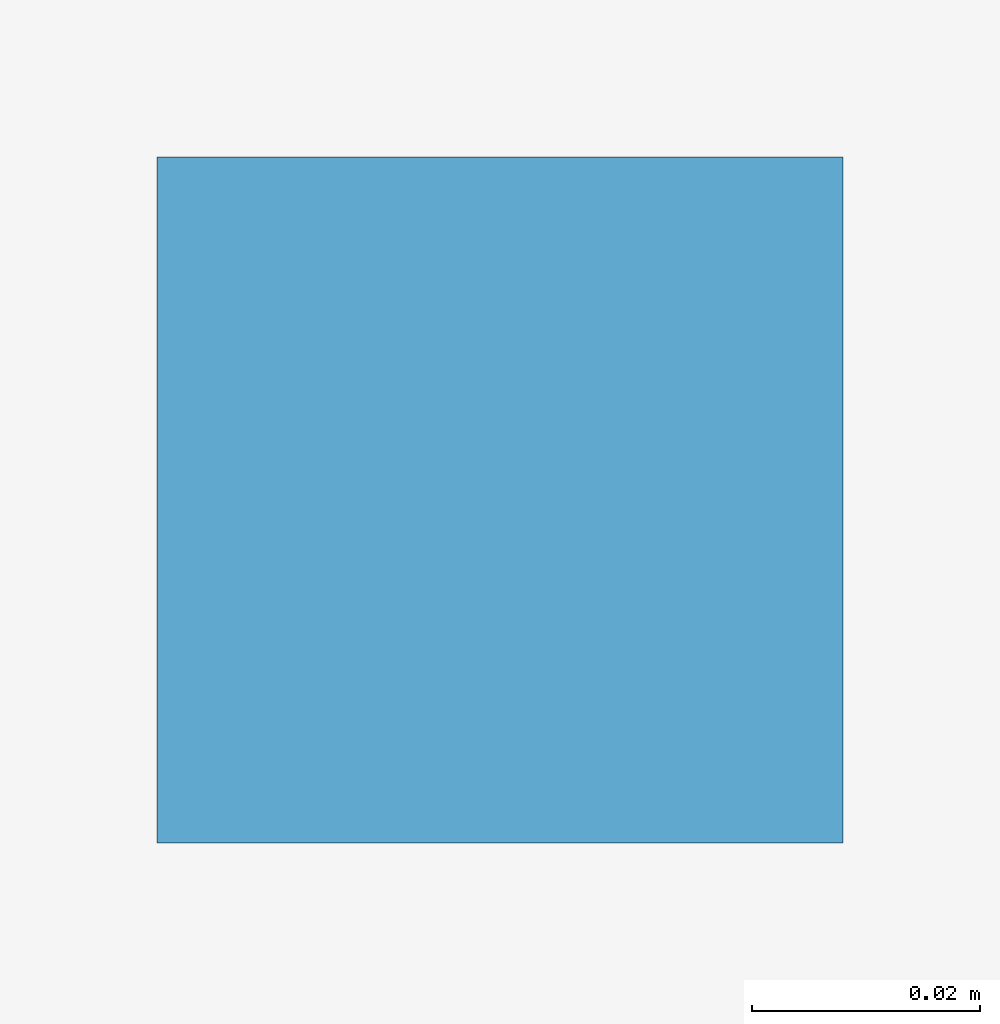
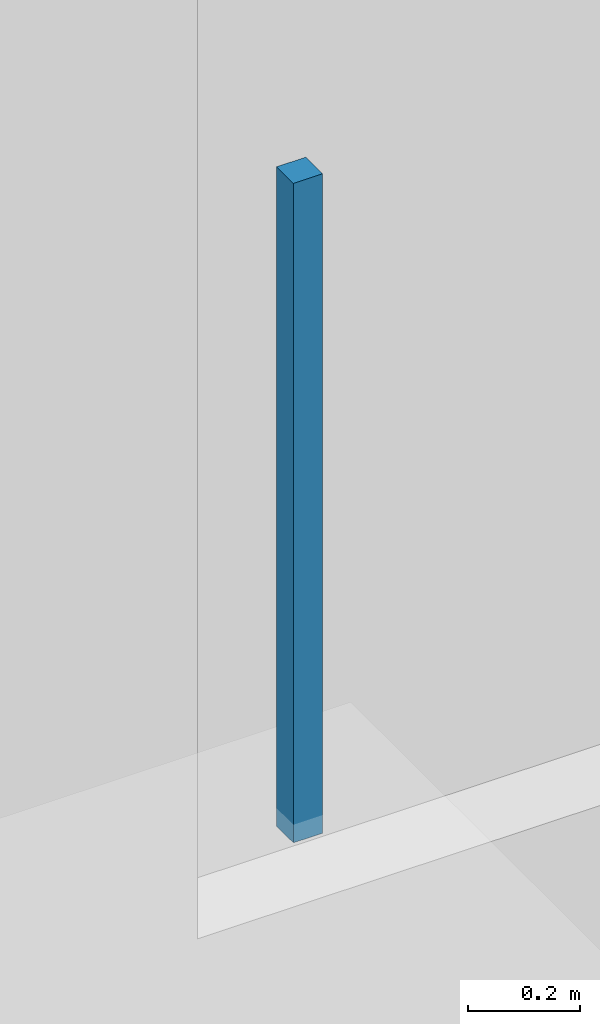
# One storey, part 99 of 122: 1 discrete accessory.
"""IFC4 building model written with IfcOpenShell, lengths in metres."""

from ifc_helpers import new_model, si_unit, direction, frame, origin, origin_2d, place, context, subcontext, project, spatial, rectangle, extrude, material, type_object, element, save


model = new_model("IFC4")

# Units and contexts
model_context = context("Model", 3, precision=1e-05, world=origin(), true_north=direction((0.0, 1.0)))
body_context = subcontext(model_context, "Body", "Model", "MODEL_VIEW")
ifc_project = project(units=[si_unit("LENGTHUNIT", "METRE"), si_unit("AREAUNIT", "SQUARE_METRE"), si_unit("VOLUMEUNIT", "CUBIC_METRE"), si_unit("PLANEANGLEUNIT", "RADIAN"), si_unit("MASSUNIT", "GRAM", prefix="KILO")], contexts=[model_context])

# Site, building, storey
site_placement = place(None, origin())
site = spatial("IfcSite", under=ifc_project, at=site_placement, CompositionType="ELEMENT")
building_placement = place(site_placement, origin())
building = spatial("IfcBuilding", under=site, at=building_placement, Name="Sundkrona Museum", CompositionType="ELEMENT")
storey_placement = place(building_placement, frame((0.0, 0.0, 5.39990234375)))
storey = spatial("IfcBuildingStorey", under=building, at=storey_placement, Name="L01", CompositionType="ELEMENT", Elevation=5.39990234375)

# Discrete accessory
ifc_material = material(Name="Stainless Steel EN 1.4404 Cleat", Category="steel")
discrete_accessory_type = type_object("IfcDiscreteAccessoryType", Name="BRK-FIN-01", PredefinedType="BRACKET", material=ifc_material)
discrete_accessory_placement = place(storey_placement, frame((75.75, 111.550048828125, 2.550048828125), z_axis=(0.0, 0.0, 1.0), x_axis=(1.0, 0.0, 0.0)))
element("IfcDiscreteAccessory", 1, at=discrete_accessory_placement, inside=storey, type_object=discrete_accessory_type, Name="L01 Graphic Arts Cabinet Ceiling Hanger 3", PredefinedType="BRACKET", context=body_context, shape_type="SweptSolid", body=[
    extrude(rectangle(XDim=0.06005859375, YDim=0.06005859375, at=origin_2d()), origin(), (0.0, 0.0, 1.0), 1.43994140625),
])

save(model, "model.ifc")
